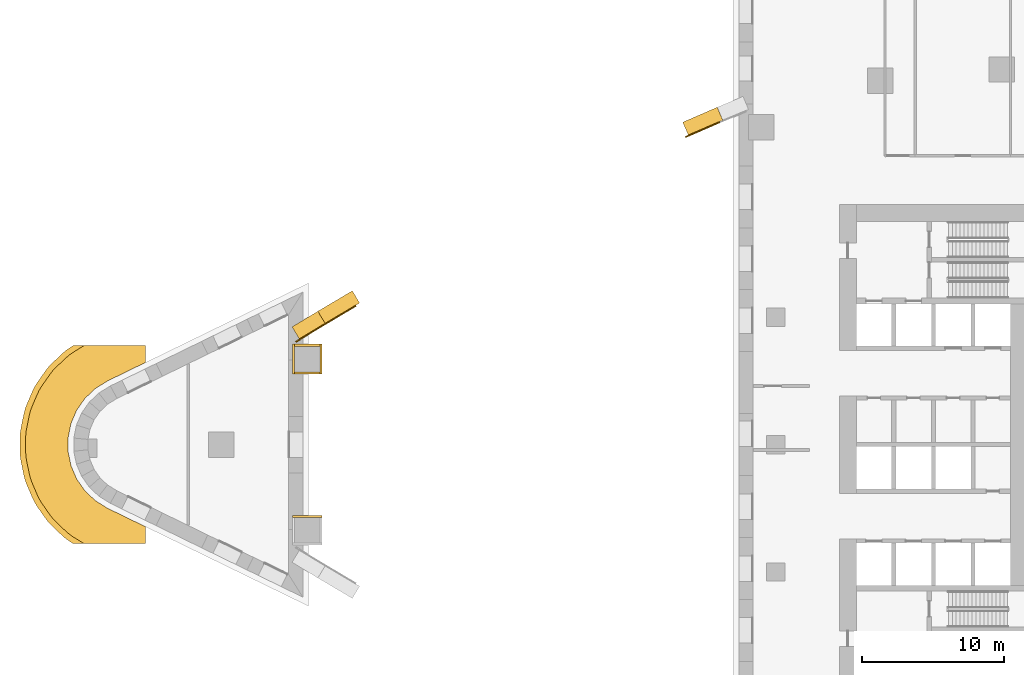
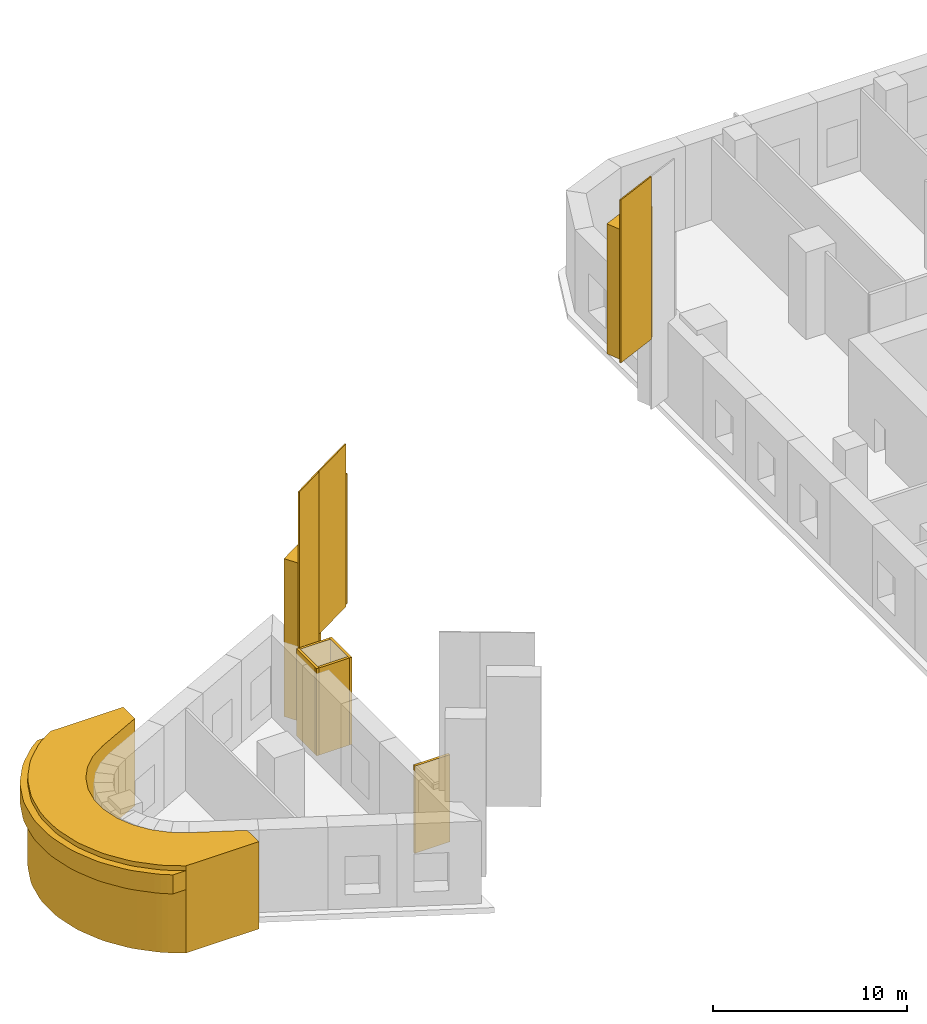
# One storey, part 9 of 13: 13 coverings.
"""IFC4 building model written with IfcOpenShell, lengths in metres."""

from ifc_helpers import new_model, si_unit, direction, frame, frame_2d, origin, place, context, subcontext, project, spatial, polyline, rectangle, outline, extrude, material, layer, layer_set, type_object, element, save


model = new_model("IFC4")

# Units and contexts
model_context = context("Model", 3, precision=1e-05, world=origin(), true_north=direction((0.0, 1.0)))
body_context = subcontext(model_context, "Body", "Model", "MODEL_VIEW")
ifc_project = project(units=[si_unit("LENGTHUNIT", "METRE"), si_unit("AREAUNIT", "SQUARE_METRE"), si_unit("VOLUMEUNIT", "CUBIC_METRE"), si_unit("PLANEANGLEUNIT", "RADIAN"), si_unit("MASSUNIT", "GRAM", prefix="KILO")], contexts=[model_context])

# Site, building, storey
site_placement = place(None, origin())
site = spatial("IfcSite", under=ifc_project, at=site_placement, CompositionType="ELEMENT")
building_placement = place(site_placement, origin())
building = spatial("IfcBuilding", under=site, at=building_placement, Name="Ostrand Prow Hotel Tower", CompositionType="ELEMENT")
storey_placement = place(building_placement, frame((0.0, 0.0, 13.5)))
storey = spatial("IfcBuildingStorey", under=building, at=storey_placement, Name="L02", CompositionType="ELEMENT", Elevation=13.5)

# Coverings
ifc_material_1 = material(Name="Dark bronze anodised aluminium lining", Category="aluminium")
ifc_layer_1 = layer(ifc_material_1, 0.080078125)
ifc_layer_set_1 = layer_set([ifc_layer_1], Name="Dark bronze anodised aluminium lining")
covering_type_1 = type_object("IfcCoveringType", Name="Arch spandrel limestone cladding 80 mm", PredefinedType="CLADDING", material=ifc_layer_set_1)
covering_1_placement = place(storey_placement, frame((11.104248046875, 7.25048828125, 0.4853515625), z_axis=(0.0, 0.0, 1.0), x_axis=(0.853780023849, 0.52063391253, 0.0)))
element("IfcCovering", 1, at=covering_1_placement, inside=storey, type_object=covering_type_1, Name="Arch spandrel cladding N 3", PredefinedType="CLADDING", context=body_context, shape_type="SweptSolid", body=[
    extrude(rectangle(XDim=2.13037109375, YDim=0.080078125, at=frame_2d((1.065185546875, 0.0))), origin(), (0.0, 0.0, 1.0), 14.714599609375),
])
covering_2_placement = place(storey_placement, frame((12.923095703125, 8.359619140625, 4.93017578125), z_axis=(0.0, 0.0, 1.0), x_axis=(0.85938848397, 0.511323218346, 0.0)))
element("IfcCovering", 2, at=covering_2_placement, inside=storey, type_object=covering_type_1, Name="Arch spandrel cladding N 4", PredefinedType="CLADDING", context=body_context, shape_type="SweptSolid", body=[
    extrude(rectangle(XDim=2.832275390625, YDim=0.080078125, at=frame_2d((1.416015625, 0.0))), origin(), (0.0, 0.0, 1.0), 10.269775390625),
])
covering_3_placement = place(storey_placement, frame((38.642822265625, 21.725830078125, 4.93017578125), z_axis=(0.0, 0.0, 1.0), x_axis=(0.917230870296, 0.398356034943, 0.0)))
element("IfcCovering", 3, at=covering_3_placement, inside=storey, type_object=covering_type_1, Name="Arch spandrel cladding N 12", PredefinedType="CLADDING", context=body_context, shape_type="SweptSolid", body=[
    extrude(rectangle(XDim=2.65380859375, YDim=0.080078125, at=frame_2d((1.326904296875, 0.0))), origin(), (0.0, 0.0, 1.0), 10.269775390625),
])
ifc_material_2 = material(Name="Limestone cladding", Category="masonry")
ifc_layer_2 = layer(ifc_material_2, 0.14990234375)
ifc_layer_set_2 = layer_set([ifc_layer_2], Name="Limestone cladding")
covering_type_2 = type_object("IfcCoveringType", Name="Column stone sleeve 150 mm", PredefinedType="CLADDING", material=ifc_layer_set_2)
for number, where, z_axis, x_axis, name in (
    (4, (12.976318359375, -5.06689453125, 0.0), (0.0, 0.0, 1.0), (-1.0, 0.0, 0.0), "Column stone sleeve MC-S1 3"),
    (5, (10.87646484375, 5.06689453125, 0.0), (0.0, 0.0, 1.0), (1.0, 0.0, 0.0), "Column stone sleeve MC-N6 1"),
):
    element("IfcCovering", number, at=place(storey_placement, frame(where, z_axis=z_axis, x_axis=x_axis)), inside=storey, type_object=covering_type_2, Name=name, PredefinedType="CLADDING", context=body_context, shape_type="SweptSolid", body=[
        extrude(rectangle(XDim=2.099853515625, YDim=0.14990234375, at=frame_2d((1.0498046875, 0.0))), origin(), (0.0, 0.0, 1.0), 5.5),
    ])
covering_4_placement = place(storey_placement, frame((12.9013671875, 4.991943359375, 0.0), z_axis=(0.0, 0.0, 1.0), x_axis=(0.0, 1.0, 0.0)))
element("IfcCovering", 6, at=covering_4_placement, inside=storey, type_object=covering_type_2, Name="Column stone sleeve MC-N6 2", PredefinedType="CLADDING", context=body_context, shape_type="SweptSolid", body=[
    extrude(rectangle(XDim=2.10009765625, YDim=0.14990234375, at=frame_2d((1.050048828125, 0.0))), origin(), (0.0, 0.0, 1.0), 5.5),
])
covering_5_placement = place(storey_placement, frame((12.976318359375, 7.01708984375, 0.0), z_axis=(0.0, 0.0, 1.0), x_axis=(-1.0, 0.0, 0.0)))
element("IfcCovering", 7, at=covering_5_placement, inside=storey, type_object=covering_type_2, Name="Column stone sleeve MC-N6 3", PredefinedType="CLADDING", context=body_context, shape_type="SweptSolid", body=[
    extrude(rectangle(XDim=2.099853515625, YDim=0.14990234375, at=frame_2d((1.0498046875, 0.0))), origin(), (0.0, 0.0, 1.0), 5.5),
])
covering_6_placement = place(storey_placement, frame((10.951416015625, 7.092041015625, 0.0), z_axis=(0.0, 0.0, 1.0), x_axis=(0.0, -1.0, 0.0)))
element("IfcCovering", 8, at=covering_6_placement, inside=storey, type_object=covering_type_2, Name="Column stone sleeve MC-N6 4", PredefinedType="CLADDING", context=body_context, shape_type="SweptSolid", body=[
    extrude(rectangle(XDim=2.10009765625, YDim=0.14990234375, at=frame_2d((1.050048828125, 0.0))), origin(), (0.0, 0.0, 1.0), 5.5),
])
ifc_material_3 = material(Name="Limestone cladding", Category="masonry")
ifc_layer_3 = layer(ifc_material_3, 1.0)
ifc_layer_set_3 = layer_set([ifc_layer_3], Name="Limestone cladding")
covering_type_3 = type_object("IfcCoveringType", Name="Portal frame limestone 1000 mm", PredefinedType="CLADDING", material=ifc_layer_set_3)
covering_7_placement = place(storey_placement, frame((11.104248046875, 7.884521484375, 0.4853515625), z_axis=(0.0, 0.0, 1.0), x_axis=(0.85454390254, 0.519379166537, 0.0)))
element("IfcCovering", 9, at=covering_7_placement, inside=storey, type_object=covering_type_3, Name="Portal frame N 3", PredefinedType="CLADDING", context=body_context, shape_type="SweptSolid", body=[
    extrude(rectangle(XDim=2.12841796875, YDim=1.0, at=frame_2d((1.064208984375, 0.0))), origin(), (0.0, 0.0, 1.0), 9.954345703125),
])
covering_8_placement = place(storey_placement, frame((12.923095703125, 8.989990234375, 4.93017578125), z_axis=(0.0, 0.0, 1.0), x_axis=(0.860107903159, 0.510112139557, 0.0)))
element("IfcCovering", 10, at=covering_8_placement, inside=storey, type_object=covering_type_3, Name="Portal frame N 4", PredefinedType="CLADDING", context=body_context, shape_type="SweptSolid", body=[
    extrude(rectangle(XDim=2.830078125, YDim=1.0, at=frame_2d((1.4150390625, 0.0))), origin(), (0.0, 0.0, 1.0), 8.192138671875),
])
covering_9_placement = place(storey_placement, frame((38.642822265625, 22.31591796875, 4.93017578125), z_axis=(0.0, 0.0, 1.0), x_axis=(0.917633957316, 0.397426622637, 0.0)))
element("IfcCovering", 11, at=covering_9_placement, inside=storey, type_object=covering_type_3, Name="Portal frame N 12", PredefinedType="CLADDING", context=body_context, shape_type="SweptSolid", body=[
    extrude(rectangle(XDim=2.652587890625, YDim=1.0, at=frame_2d((1.326171875, 0.0))), origin(), (0.0, 0.0, 1.0), 8.192138671875),
])
ifc_material_4 = material(Name="Bronze anodised aluminium cladding", Category="aluminium")
ifc_layer_4 = layer(ifc_material_4, 0.39990234375)
ifc_layer_set_4 = layer_set([ifc_layer_4], Name="Bronze anodised aluminium cladding")
covering_type_4 = type_object("IfcCoveringType", Name="Prow nose bronze band", PredefinedType="CLADDING", material=ifc_layer_set_4)
covering_10_placement = place(storey_placement, frame((0.0, 0.0, 4.0)))
element("IfcCovering", 12, at=covering_10_placement, inside=storey, type_object=covering_type_4, Name="Prow nose band L02", PredefinedType="CLADDING", context=body_context, shape_type="SweptSolid", body=[
    extrude(outline(polyline([(-4.8447265625, -6.849365234375), (-4.601806640625, -7.0), (-3.843017578125, -7.0), (-4.6337890625, -6.509521484375), (-4.88427734375, -6.3359375), (-5.11572265625, -6.137939453125), (-5.851806640625, -5.44091796875), (-6.06201171875, -5.220458984375), (-6.248779296875, -4.979736328125), (-6.8291015625, -4.1484375), (-6.990478515625, -3.89013671875), (-7.125, -3.616943359375), (-7.525390625, -2.685546875), (-7.631591796875, -2.39990234375), (-7.7080078125, -2.105224609375), (-7.91259765625, -1.112060546875), (-7.958740234375, -0.81103515625), (-7.97412109375, -0.5068359375), (-7.97412109375, 0.5068359375), (-7.958740234375, 0.81103515625), (-7.91259765625, 1.112060546875), (-7.7080078125, 2.105224609375), (-7.631591796875, 2.39990234375), (-7.525390625, 2.685546875), (-7.125, 3.616943359375), (-6.990478515625, 3.89013671875), (-6.8291015625, 4.1484375), (-6.248779296875, 4.979736328125), (-6.06201171875, 5.220458984375), (-5.851806640625, 5.44091796875), (-5.11572265625, 6.137939453125), (-4.88427734375, 6.3359375), (-4.6337890625, 6.509521484375), (-3.843017578125, 7.0), (-4.601806640625, 7.0), (-4.8447265625, 6.849365234375), (-5.12841796875, 6.65283203125), (-5.390625, 6.428466796875), (-6.126708984375, 5.731201171875), (-6.364990234375, 5.4814453125), (-6.57666015625, 5.208740234375), (-7.156982421875, 4.37744140625), (-7.340087890625, 4.084716796875), (-7.4921875, 3.77490234375), (-7.89306640625, 2.843505859375), (-8.01318359375, 2.52001953125), (-8.099853515625, 2.185791015625), (-8.30419921875, 1.19287109375), (-8.356689453125, 0.851806640625), (-8.374267578125, 0.5068359375), (-8.374267578125, -0.5068359375), (-8.356689453125, -0.851806640625), (-8.30419921875, -1.19287109375), (-8.099853515625, -2.185791015625), (-8.01318359375, -2.52001953125), (-7.89306640625, -2.843505859375), (-7.4921875, -3.77490234375), (-7.340087890625, -4.084716796875), (-7.156982421875, -4.37744140625), (-6.57666015625, -5.208740234375), (-6.364990234375, -5.4814453125), (-6.126708984375, -5.731201171875), (-5.390625, -6.428466796875), (-5.12841796875, -6.65283203125), (-4.8447265625, -6.849365234375)])), origin(), (0.0, 0.0, 1.0), 1.199951171875),
])
ifc_material_5 = material(Name="Limestone cladding", Category="masonry")
ifc_layer_5 = layer(ifc_material_5, 3.0)
ifc_layer_set_5 = layer_set([ifc_layer_5], Name="Limestone cladding")
covering_type_5 = type_object("IfcCoveringType", Name="Prow nose pier limestone", PredefinedType="CLADDING", material=ifc_layer_set_5)
covering_11_placement = place(storey_placement, origin())
element("IfcCovering", 13, at=covering_11_placement, inside=storey, type_object=covering_type_5, Name="Prow nose pier L02", PredefinedType="CLADDING", context=body_context, shape_type="SweptSolid", body=[
    extrude(outline(polyline([(-4.6337890625, -6.509521484375), (-3.843017578125, -7.0), (0.5, -7.0), (0.5, -5.80615234375), (-2.19091796875, -4.494384765625), (-3.052490234375, -3.9599609375), (-3.788818359375, -3.2626953125), (-4.368896484375, -2.431396484375), (-4.769775390625, -1.5), (-4.97412109375, -0.5068359375), (-4.97412109375, 0.5068359375), (-4.769775390625, 1.5), (-4.368896484375, 2.431396484375), (-3.788818359375, 3.2626953125), (-3.052490234375, 3.9599609375), (-2.19091796875, 4.494384765625), (0.5, 5.80615234375), (0.5, 7.0), (-3.843017578125, 7.0), (-4.6337890625, 6.509521484375), (-4.88427734375, 6.3359375), (-5.11572265625, 6.137939453125), (-5.851806640625, 5.44091796875), (-6.06201171875, 5.220458984375), (-6.248779296875, 4.979736328125), (-6.8291015625, 4.1484375), (-6.990478515625, 3.89013671875), (-7.125, 3.616943359375), (-7.525390625, 2.685546875), (-7.631591796875, 2.39990234375), (-7.7080078125, 2.105224609375), (-7.91259765625, 1.112060546875), (-7.958740234375, 0.81103515625), (-7.97412109375, 0.5068359375), (-7.97412109375, -0.5068359375), (-7.958740234375, -0.81103515625), (-7.91259765625, -1.112060546875), (-7.7080078125, -2.105224609375), (-7.631591796875, -2.39990234375), (-7.525390625, -2.685546875), (-7.125, -3.616943359375), (-6.990478515625, -3.89013671875), (-6.8291015625, -4.1484375), (-6.248779296875, -4.979736328125), (-6.06201171875, -5.220458984375), (-5.851806640625, -5.44091796875), (-5.11572265625, -6.137939453125), (-4.88427734375, -6.3359375), (-4.6337890625, -6.509521484375)])), origin(), (0.0, 0.0, 1.0), 5.5),
])

save(model, "model.ifc")
